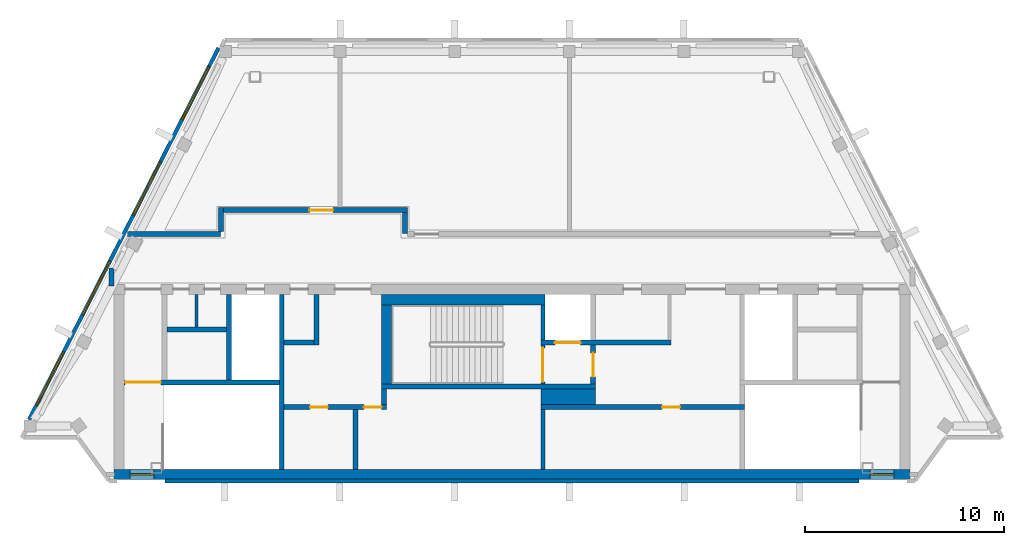
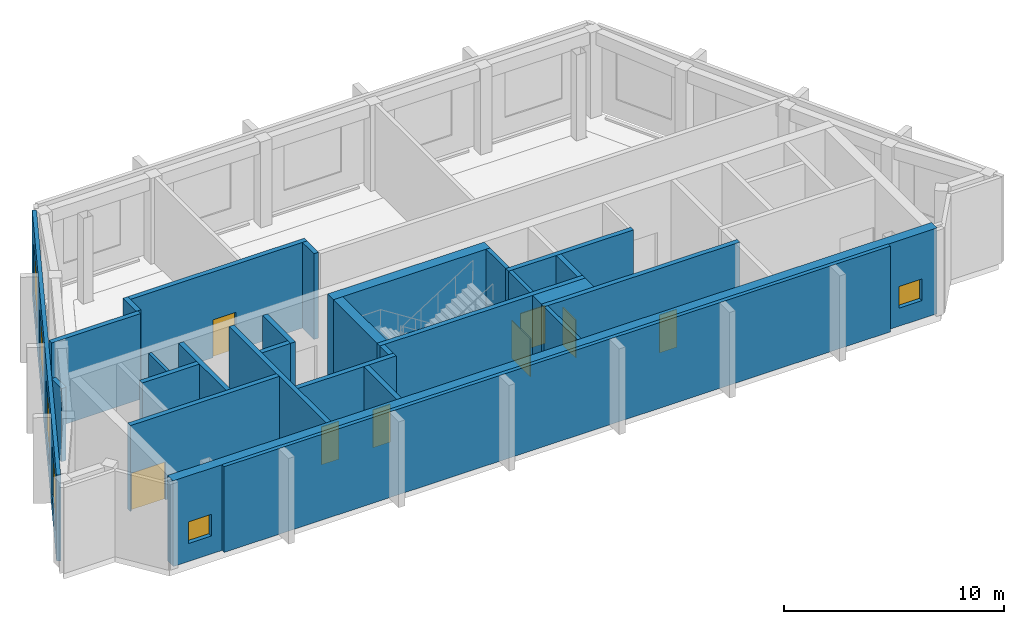
# One storey, part 2 of 5: 28 walls, 8 doors, 6 windows, 14 openings.
"""IFC4 building model written with IfcOpenShell, lengths in metres."""

from ifc_helpers import new_model, si_unit, direction, frame, frame_2d, origin, place, context, subcontext, project, spatial, rectangle, extrude, material, layer, layer_set, type_object, element, fill, save


model = new_model("IFC4")

# Units and contexts
model_context = context("Model", 3, precision=1e-05, world=origin(), true_north=direction((0.0, 1.0)))
body_context = subcontext(model_context, "Body", "Model", "MODEL_VIEW")
ifc_project = project(units=[si_unit("LENGTHUNIT", "METRE"), si_unit("AREAUNIT", "SQUARE_METRE"), si_unit("VOLUMEUNIT", "CUBIC_METRE"), si_unit("PLANEANGLEUNIT", "RADIAN"), si_unit("MASSUNIT", "GRAM", prefix="KILO")], contexts=[model_context])

# Site, building, storey
site_placement = place(None, origin())
site = spatial("IfcSite", under=ifc_project, at=site_placement, CompositionType="ELEMENT")
building_placement = place(site_placement, origin())
building = spatial("IfcBuilding", under=site, at=building_placement, Name="Quipu Civic Tower", CompositionType="ELEMENT")
storey_placement = place(building_placement, frame((0.0, 0.0, 363.0)))
storey = spatial("IfcBuildingStorey", under=building, at=storey_placement, Name="L84", CompositionType="ELEMENT", Elevation=363.0)

# Wall, opening, door
ifc_material_1 = material(Name="Concrete C70/85", Category="concrete")
ifc_layer_1 = layer(ifc_material_1, 0.199951171875)
ifc_layer_set_1 = layer_set([ifc_layer_1], Name="Concrete C70/85")
wall_type_1 = type_object("IfcWallType", Name="Core wall 200", PredefinedType="SHEAR", material=ifc_layer_set_1)
wall_1_placement = place(storey_placement, frame((1.550048828125, -6.199951171875, 0.0), z_axis=(0.0, 0.0, 1.0), x_axis=(0.0, 1.0, 0.0)))
wall_1 = element("IfcWall", 1, at=wall_1_placement, inside=storey, type_object=wall_type_1, Name="Core wall", PredefinedType="SHEAR", context=body_context, shape_type="SweptSolid", body=[
    extrude(rectangle(XDim=1.949951171875, YDim=0.199951171875, at=frame_2d((0.97509765625, 0.0))), origin(), (0.0, 0.0, 1.0), 4.75),
])
opening_1_placement = place(wall_1_placement, frame((0.10009765625, 0.0, 0.0)))
opening_1 = element("IfcOpeningElement", 2, at=opening_1_placement, cuts=wall_1, Name="Opening CD-06", PredefinedType="OPENING", context=body_context, shape_type="SweptSolid", body=[
    extrude(rectangle(XDim=1.699951171875, YDim=2.10009765625, at=frame_2d((0.85009765625, 1.050048828125))), frame((0.0, 0.10986328125, 0.0), z_axis=(0.0, -1.0, 0.0), x_axis=(1.0, 0.0, 0.0)), (0.0, 0.0, 1.0), 0.219970703125),
])
ifc_material_2 = material(Name="Fire rated steel door", Category="steel")
door_type_1 = type_object("IfcDoorType", Name="Fire door FD90 double 1700 x 2100", OperationType="NOTDEFINED", PredefinedType="DOOR", material=ifc_material_2)
door_1_placement = place(opening_1_placement, origin())
door_1 = element("IfcDoor", 3, at=door_1_placement, inside=storey, type_object=door_type_1, Name="Door", OperationType="DOUBLE_DOOR_SINGLE_SWING", OverallHeight=2.10009765625, OverallWidth=1.699951171875, PredefinedType="DOOR", context=body_context, shape_type="SweptSolid", body=[
    extrude(rectangle(XDim=1.699951171875, YDim=2.10009765625, at=frame_2d((0.85009765625, 1.050048828125))), frame((0.0, 0.02490234375, 0.0), z_axis=(0.0, -1.0, 0.0), x_axis=(1.0, 0.0, 0.0)), (0.0, 0.0, 1.0), 0.050048828125),
])
fill(opening_1, door_1)

# Walls
wall_2_placement = place(storey_placement, frame((1.550048828125, -4.0, 0.0), z_axis=(0.0, 0.0, 1.0), x_axis=(0.0, 1.0, 0.0)))
element("IfcWall", 4, at=wall_2_placement, inside=storey, type_object=wall_type_1, Name="Core wall", PredefinedType="SHEAR", context=body_context, shape_type="SweptSolid", body=[
    extrude(rectangle(XDim=1.77001953125, YDim=0.199951171875, at=frame_2d((0.885009765625, 0.0))), origin(), (0.0, 0.0, 1.0), 4.75),
])
ifc_material_3 = material(Name="Concrete C70/85", Category="concrete")
ifc_layer_2 = layer(ifc_material_3, 0.25)
ifc_layer_set_2 = layer_set([ifc_layer_2], Name="Concrete C70/85")
wall_type_2 = type_object("IfcWallType", Name="Core wall 250", PredefinedType="SHEAR", material=ifc_layer_set_2)
wall_3_placement = place(storey_placement, frame((-11.574951171875, -10.5, 0.0), z_axis=(0.0, 0.0, 1.0), x_axis=(0.0, 1.0, 0.0)))
element("IfcWall", 5, at=wall_3_placement, inside=storey, type_object=wall_type_2, Name="Core wall", PredefinedType="SHEAR", context=body_context, shape_type="SweptSolid", body=[
    extrude(rectangle(XDim=8.800048828125, YDim=0.25, at=frame_2d((4.39990234375, 0.0))), origin(), (0.0, 0.0, 1.0), 4.75),
])
wall_4_placement = place(storey_placement, frame((-7.875, -10.5, 0.0), z_axis=(0.0, 0.0, 1.0), x_axis=(0.0, 1.0, 0.0)))
element("IfcWall", 6, at=wall_4_placement, inside=storey, type_object=wall_type_2, Name="Core wall", PredefinedType="SHEAR", context=body_context, shape_type="SweptSolid", body=[
    extrude(rectangle(XDim=3.0, YDim=0.25, at=frame_2d((1.5, 0.0))), origin(), (0.0, 0.0, 1.0), 4.75),
])

# Wall, openings, doors
wall_5_placement = place(storey_placement, frame((-6.300048828125, -7.375, 0.0), z_axis=(0.0, 0.0, 1.0), x_axis=(-1.0, 0.0, 0.0)))
wall_5 = element("IfcWall", 7, at=wall_5_placement, inside=storey, type_object=wall_type_2, Name="Core wall", PredefinedType="SHEAR", context=body_context, shape_type="SweptSolid", body=[
    extrude(rectangle(XDim=5.14990234375, YDim=0.25, at=frame_2d((2.574951171875, 0.0))), origin(), (0.0, 0.0, 1.0), 4.75),
])
opening_2_placement = place(wall_5_placement, frame((2.949951171875, 0.0, 0.0)))
opening_2 = element("IfcOpeningElement", 8, at=opening_2_placement, cuts=wall_5, Name="Opening CD-01", PredefinedType="OPENING", context=body_context, shape_type="SweptSolid", body=[
    extrude(rectangle(XDim=0.89990234375, YDim=2.10009765625, at=frame_2d((0.449951171875, 1.050048828125))), frame((0.0, 0.135009765625, 0.0), z_axis=(0.0, -1.0, 0.0), x_axis=(1.0, 0.0, 0.0)), (0.0, 0.0, 1.0), 0.27001953125),
])
opening_3_placement = place(wall_5_placement, frame((0.25, 0.0, 0.0)))
opening_3 = element("IfcOpeningElement", 9, at=opening_3_placement, cuts=wall_5, Name="Opening CD-02", PredefinedType="OPENING", context=body_context, shape_type="SweptSolid", body=[
    extrude(rectangle(XDim=0.89990234375, YDim=2.10009765625, at=frame_2d((0.449951171875, 1.050048828125))), frame((0.0, 0.135009765625, 0.0), z_axis=(0.0, -1.0, 0.0), x_axis=(1.0, 0.0, 0.0)), (0.0, 0.0, 1.0), 0.27001953125),
])
ifc_material_4 = material(Name="Fire rated steel door", Category="steel")
door_type_2 = type_object("IfcDoorType", Name="Fire door FD60 900 x 2100", OperationType="NOTDEFINED", PredefinedType="DOOR", material=ifc_material_4)
door_2_placement = place(opening_2_placement, origin())
door_2 = element("IfcDoor", 10, at=door_2_placement, inside=storey, type_object=door_type_2, Name="Plant door", OperationType="SINGLE_SWING_RIGHT", OverallHeight=2.10009765625, OverallWidth=0.89990234375, PredefinedType="DOOR", context=body_context, shape_type="SweptSolid", body=[
    extrude(rectangle(XDim=0.89990234375, YDim=2.10009765625, at=frame_2d((0.449951171875, 1.050048828125))), frame((0.0, 0.02490234375, 0.0), z_axis=(0.0, -1.0, 0.0), x_axis=(1.0, 0.0, 0.0)), (0.0, 0.0, 1.0), 0.050048828125),
])
fill(opening_2, door_2)
door_3_placement = place(opening_3_placement, origin())
door_3 = element("IfcDoor", 11, at=door_3_placement, inside=storey, type_object=door_type_2, Name="Plant door", OperationType="SINGLE_SWING_LEFT", OverallHeight=2.10009765625, OverallWidth=0.89990234375, PredefinedType="DOOR", context=body_context, shape_type="SweptSolid", body=[
    extrude(rectangle(XDim=0.89990234375, YDim=2.10009765625, at=frame_2d((0.449951171875, 1.050048828125))), frame((0.0, 0.02490234375, 0.0), z_axis=(0.0, -1.0, 0.0), x_axis=(1.0, 0.0, 0.0)), (0.0, 0.0, 1.0), 0.050048828125),
])
fill(opening_3, door_3)

# Wall, opening, door
wall_6_placement = place(storey_placement, frame((11.699951171875, -7.375, 0.0), z_axis=(0.0, 0.0, 1.0), x_axis=(-1.0, 0.0, 0.0)))
wall_6 = element("IfcWall", 12, at=wall_6_placement, inside=storey, type_object=wall_type_2, Name="Core wall", PredefinedType="SHEAR", context=body_context, shape_type="SweptSolid", body=[
    extrude(rectangle(XDim=10.25, YDim=0.25, at=frame_2d((5.125, 0.0))), origin(), (0.0, 0.0, 1.0), 4.75),
])
opening_4_placement = place(wall_6_placement, frame((3.25, 0.0, 0.0)))
opening_4 = element("IfcOpeningElement", 13, at=opening_4_placement, cuts=wall_6, Name="Opening CD-03", PredefinedType="OPENING", context=body_context, shape_type="SweptSolid", body=[
    extrude(rectangle(XDim=0.89990234375, YDim=2.10009765625, at=frame_2d((0.449951171875, 1.050048828125))), frame((0.0, 0.135009765625, 0.0), z_axis=(0.0, -1.0, 0.0), x_axis=(1.0, 0.0, 0.0)), (0.0, 0.0, 1.0), 0.27001953125),
])
door_4_placement = place(opening_4_placement, origin())
door_4 = element("IfcDoor", 14, at=door_4_placement, inside=storey, type_object=door_type_2, Name="Plant door", OperationType="SINGLE_SWING_LEFT", OverallHeight=2.10009765625, OverallWidth=0.89990234375, PredefinedType="DOOR", context=body_context, shape_type="SweptSolid", body=[
    extrude(rectangle(XDim=0.89990234375, YDim=2.10009765625, at=frame_2d((0.449951171875, 1.050048828125))), frame((0.0, 0.02490234375, 0.0), z_axis=(0.0, -1.0, 0.0), x_axis=(1.0, 0.0, 0.0)), (0.0, 0.0, 1.0), 0.050048828125),
])
fill(opening_4, door_4)

# Walls
wall_7_placement = place(storey_placement, frame((-6.425048828125, -7.25, 0.0), z_axis=(0.0, 0.0, 1.0), x_axis=(0.0, 1.0, 0.0)))
element("IfcWall", 15, at=wall_7_placement, inside=storey, type_object=wall_type_2, Name="Core wall", PredefinedType="SHEAR", context=body_context, shape_type="SweptSolid", body=[
    extrude(rectangle(XDim=0.800048828125, YDim=0.25, at=frame_2d((0.39990234375, 0.0))), origin(), (0.0, 0.0, 1.0), 4.75),
])
wall_8_placement = place(storey_placement, frame((-6.550048828125, -6.324951171875, 0.0), z_axis=(0.0, 0.0, 1.0), x_axis=(1.0, 0.0, 0.0)))
element("IfcWall", 16, at=wall_8_placement, inside=storey, type_object=wall_type_2, Name="Core wall", PredefinedType="SHEAR", context=body_context, shape_type="SweptSolid", body=[
    extrude(rectangle(XDim=10.75, YDim=0.25, at=frame_2d((5.375, 0.0))), origin(), (0.0, 0.0, 1.0), 4.75),
])

# Wall, opening, door
wall_9_placement = place(storey_placement, frame((-11.699951171875, -6.125, 0.0), z_axis=(0.0, 0.0, 1.0), x_axis=(-1.0, 0.0, 0.0)))
wall_9 = element("IfcWall", 17, at=wall_9_placement, inside=storey, type_object=wall_type_2, Name="Core wall", PredefinedType="SHEAR", context=body_context, shape_type="SweptSolid", body=[
    extrude(rectangle(XDim=7.800048828125, YDim=0.25, at=frame_2d((3.89990234375, 0.0))), origin(), (0.0, 0.0, 1.0), 4.75),
])
opening_5_placement = place(wall_9_placement, frame((5.949951171875, 0.0, 0.0)))
opening_5 = element("IfcOpeningElement", 18, at=opening_5_placement, cuts=wall_9, Name="Opening CD-04", PredefinedType="OPENING", context=body_context, shape_type="SweptSolid", body=[
    extrude(rectangle(XDim=1.800048828125, YDim=2.10009765625, at=frame_2d((0.89990234375, 1.050048828125))), frame((0.0, 0.135009765625, 0.0), z_axis=(0.0, -1.0, 0.0), x_axis=(1.0, 0.0, 0.0)), (0.0, 0.0, 1.0), 0.27001953125),
])
ifc_material_5 = material(Name="Fire rated steel door", Category="steel")
door_type_3 = type_object("IfcDoorType", Name="Fire door FD90 double 1800 x 2100", OperationType="NOTDEFINED", PredefinedType="DOOR", material=ifc_material_5)
door_5_placement = place(opening_5_placement, origin())
door_5 = element("IfcDoor", 19, at=door_5_placement, inside=storey, type_object=door_type_3, Name="Door", OperationType="DOUBLE_DOOR_SINGLE_SWING", OverallHeight=2.10009765625, OverallWidth=1.800048828125, PredefinedType="DOOR", context=body_context, shape_type="SweptSolid", body=[
    extrude(rectangle(XDim=1.800048828125, YDim=2.10009765625, at=frame_2d((0.89990234375, 1.050048828125))), frame((0.0, 0.02490234375, 0.0), z_axis=(0.0, -1.0, 0.0), x_axis=(1.0, 0.0, 0.0)), (0.0, 0.0, 1.0), 0.050048828125),
])
fill(opening_5, door_5)

wall_10_placement = place(storey_placement, frame((4.074951171875, -6.199951171875, 0.0), z_axis=(0.0, 0.0, 1.0), x_axis=(0.0, 1.0, 0.0)))
wall_10 = element("IfcWall", 20, at=wall_10_placement, inside=storey, type_object=wall_type_2, Name="Core wall", PredefinedType="SHEAR", context=body_context, shape_type="SweptSolid", body=[
    extrude(rectangle(XDim=1.949951171875, YDim=0.25, at=frame_2d((0.97509765625, 0.0))), origin(), (0.0, 0.0, 1.0), 4.75),
])
opening_6_placement = place(wall_10_placement, frame((0.35009765625, 0.0, 0.0)))
opening_6 = element("IfcOpeningElement", 21, at=opening_6_placement, cuts=wall_10, Name="Opening CD-07", PredefinedType="OPENING", context=body_context, shape_type="SweptSolid", body=[
    extrude(rectangle(XDim=1.199951171875, YDim=2.10009765625, at=frame_2d((0.60009765625, 1.050048828125))), frame((0.0, 0.135009765625, 0.0), z_axis=(0.0, -1.0, 0.0), x_axis=(1.0, 0.0, 0.0)), (0.0, 0.0, 1.0), 0.27001953125),
])
ifc_material_6 = material(Name="Fire rated steel door", Category="steel")
door_type_4 = type_object("IfcDoorType", Name="Fire door FD90 1200 x 2100", OperationType="NOTDEFINED", PredefinedType="DOOR", material=ifc_material_6)
door_6_placement = place(opening_6_placement, origin())
door_6 = element("IfcDoor", 22, at=door_6_placement, inside=storey, type_object=door_type_4, Name="Lobby door", OperationType="SINGLE_SWING_LEFT", OverallHeight=2.10009765625, OverallWidth=1.199951171875, PredefinedType="DOOR", context=body_context, shape_type="SweptSolid", body=[
    extrude(rectangle(XDim=1.199951171875, YDim=2.10009765625, at=frame_2d((0.60009765625, 1.050048828125))), frame((0.0, 0.02490234375, 0.0), z_axis=(0.0, -1.0, 0.0), x_axis=(1.0, 0.0, 0.0)), (0.0, 0.0, 1.0), 0.050048828125),
])
fill(opening_6, door_6)

# Walls
wall_11_placement = place(storey_placement, frame((-14.22509765625, -6.0, 0.0), z_axis=(0.0, 0.0, 1.0), x_axis=(0.0, 1.0, 0.0)))
element("IfcWall", 23, at=wall_11_placement, inside=storey, type_object=wall_type_2, Name="Core wall", PredefinedType="SHEAR", context=body_context, shape_type="SweptSolid", body=[
    extrude(rectangle(XDim=4.300048828125, YDim=0.25, at=frame_2d((2.14990234375, 0.0))), origin(), (0.0, 0.0, 1.0), 4.75),
])
wall_12_placement = place(storey_placement, frame((-11.449951171875, -4.125, 0.0), z_axis=(0.0, 0.0, 1.0), x_axis=(1.0, 0.0, 0.0)))
element("IfcWall", 24, at=wall_12_placement, inside=storey, type_object=wall_type_2, Name="Core wall", PredefinedType="SHEAR", context=body_context, shape_type="SweptSolid", body=[
    extrude(rectangle(XDim=1.5, YDim=0.25, at=frame_2d((0.75, 0.0))), origin(), (0.0, 0.0, 1.0), 4.75),
])
wall_13_placement = place(storey_placement, frame((-9.824951171875, -4.25, 0.0), z_axis=(0.0, 0.0, 1.0), x_axis=(0.0, 1.0, 0.0)))
element("IfcWall", 25, at=wall_13_placement, inside=storey, type_object=wall_type_2, Name="Core wall", PredefinedType="SHEAR", context=body_context, shape_type="SweptSolid", body=[
    extrude(rectangle(XDim=2.550048828125, YDim=0.25, at=frame_2d((1.27490234375, 0.0))), origin(), (0.0, 0.0, 1.0), 4.75),
])

# Wall, opening, door
wall_14_placement = place(storey_placement, frame((1.449951171875, -4.125, 0.0), z_axis=(0.0, 0.0, 1.0), x_axis=(1.0, 0.0, 0.0)))
wall_14 = element("IfcWall", 26, at=wall_14_placement, inside=storey, type_object=wall_type_2, Name="Core wall", PredefinedType="SHEAR", context=body_context, shape_type="SweptSolid", body=[
    extrude(rectangle(XDim=6.550048828125, YDim=0.25, at=frame_2d((3.27490234375, 0.0))), origin(), (0.0, 0.0, 1.0), 4.75),
])
opening_7_placement = place(wall_14_placement, frame((0.699951171875, 0.0, 0.0)))
opening_7 = element("IfcOpeningElement", 27, at=opening_7_placement, cuts=wall_14, Name="Opening LD-FF3", PredefinedType="OPENING", context=body_context, shape_type="SweptSolid", body=[
    extrude(rectangle(XDim=1.300048828125, YDim=2.10009765625, at=frame_2d((0.64990234375, 1.050048828125))), frame((0.0, 0.135009765625, 0.0), z_axis=(0.0, -1.0, 0.0), x_axis=(1.0, 0.0, 0.0)), (0.0, 0.0, 1.0), 0.27001953125),
])
ifc_material_7 = material(Name="Stainless steel", Category="steel")
door_type_5 = type_object("IfcDoorType", Name="Lift landing door 1300 x 2100", OperationType="DOUBLE_DOOR_SLIDING", PredefinedType="DOOR", material=ifc_material_7)
door_7_placement = place(opening_7_placement, origin())
door_7 = element("IfcDoor", 28, at=door_7_placement, inside=storey, type_object=door_type_5, Name="Landing door FF3", OperationType="DOUBLE_DOOR_SLIDING", OverallHeight=2.10009765625, OverallWidth=1.300048828125, PredefinedType="DOOR", context=body_context, shape_type="SweptSolid", body=[
    extrude(rectangle(XDim=1.300048828125, YDim=2.10009765625, at=frame_2d((0.64990234375, 1.050048828125))), frame((0.0, 0.02490234375, 0.0), z_axis=(0.0, -1.0, 0.0), x_axis=(1.0, 0.0, 0.0)), (0.0, 0.0, 1.0), 0.050048828125),
])
fill(opening_7, door_7)

# Wall
wall_15_placement = place(storey_placement, frame((-17.35009765625, -3.47509765625, 0.0), z_axis=(0.0, 0.0, 1.0), x_axis=(1.0, 0.0, 0.0)))
element("IfcWall", 29, at=wall_15_placement, inside=storey, type_object=wall_type_2, Name="Core wall", PredefinedType="SHEAR", context=body_context, shape_type="SweptSolid", body=[
    extrude(rectangle(XDim=3.0, YDim=0.25, at=frame_2d((1.5, 0.0))), origin(), (0.0, 0.0, 1.0), 4.75),
])

# Wall, openings, windows
ifc_material_8 = material(Name="Concrete C70/85", Category="concrete")
ifc_layer_3 = layer(ifc_material_8, 0.5)
ifc_layer_set_3 = layer_set([ifc_layer_3], Name="Concrete C70/85")
wall_type_3 = type_object("IfcWallType", Name="Core wall 500", PredefinedType="SHEAR", material=ifc_layer_set_3)
wall_16_placement = place(storey_placement, frame((-20.0, -10.75, 0.0), z_axis=(0.0, 0.0, 1.0), x_axis=(1.0, 0.0, 0.0)))
wall_16 = element("IfcWall", 30, at=wall_16_placement, inside=storey, type_object=wall_type_3, Name="Core wall", PredefinedType="SHEAR", context=body_context, shape_type="SweptSolid", body=[
    extrude(rectangle(XDim=40.0, YDim=0.5, at=frame_2d((20.0, 0.0))), origin(), (0.0, 0.0, 1.0), 4.75),
])
opening_8_placement = place(wall_16_placement, frame((0.800048828125, 0.0, 1.0)))
opening_8 = element("IfcOpeningElement", 31, at=opening_8_placement, cuts=wall_16, Name="Opening SV-1", PredefinedType="OPENING", context=body_context, shape_type="SweptSolid", body=[
    extrude(rectangle(XDim=1.199951171875, YDim=1.199951171875, at=frame_2d((0.60009765625, 0.60009765625))), frame((0.0, 0.260009765625, 0.0), z_axis=(0.0, -1.0, 0.0), x_axis=(1.0, 0.0, 0.0)), (0.0, 0.0, 1.0), 0.52001953125),
])
opening_9_placement = place(wall_16_placement, frame((38.0, 0.0, 1.0)))
opening_9 = element("IfcOpeningElement", 32, at=opening_9_placement, cuts=wall_16, Name="Opening SV-2", PredefinedType="OPENING", context=body_context, shape_type="SweptSolid", body=[
    extrude(rectangle(XDim=1.199951171875, YDim=1.199951171875, at=frame_2d((0.60009765625, 0.60009765625))), frame((0.0, 0.260009765625, 0.0), z_axis=(0.0, -1.0, 0.0), x_axis=(1.0, 0.0, 0.0)), (0.0, 0.0, 1.0), 0.52001953125),
])
ifc_material_9 = material(Name="Aluminium louvre", Category="aluminium")
window_type_1 = type_object("IfcWindowType", Name="Stair ventilation louvre 1200 x 1200", PartitioningType="SINGLE_PANEL", PredefinedType="WINDOW", material=ifc_material_9)
window_1_placement = place(opening_8_placement, origin())
window_1 = element("IfcWindow", 33, at=window_1_placement, inside=storey, type_object=window_type_1, Name="Stair ventilation opening", OverallHeight=1.199951171875, OverallWidth=1.199951171875, PartitioningType="SINGLE_PANEL", PredefinedType="WINDOW", context=body_context, shape_type="SweptSolid", body=[
    extrude(rectangle(XDim=1.199951171875, YDim=1.199951171875, at=frame_2d((0.60009765625, 0.60009765625))), frame((0.0, 0.030029296875, 0.0), z_axis=(0.0, -1.0, 0.0), x_axis=(1.0, 0.0, 0.0)), (0.0, 0.0, 1.0), 0.06005859375),
])
fill(opening_8, window_1)
window_2_placement = place(opening_9_placement, origin())
window_2 = element("IfcWindow", 34, at=window_2_placement, inside=storey, type_object=window_type_1, Name="Stair ventilation opening", OverallHeight=1.199951171875, OverallWidth=1.199951171875, PartitioningType="SINGLE_PANEL", PredefinedType="WINDOW", context=body_context, shape_type="SweptSolid", body=[
    extrude(rectangle(XDim=1.199951171875, YDim=1.199951171875, at=frame_2d((0.60009765625, 0.60009765625))), frame((0.0, 0.030029296875, 0.0), z_axis=(0.0, -1.0, 0.0), x_axis=(1.0, 0.0, 0.0)), (0.0, 0.0, 1.0), 0.06005859375),
])
fill(opening_9, window_2)

# Walls
wall_17_placement = place(storey_placement, frame((-6.300048828125, -6.199951171875, 0.0), z_axis=(0.0, 0.0, 1.0), x_axis=(0.0, 1.0, 0.0)))
element("IfcWall", 35, at=wall_17_placement, inside=storey, type_object=wall_type_3, Name="Core wall", PredefinedType="SHEAR", context=body_context, shape_type="SweptSolid", body=[
    extrude(rectangle(XDim=3.969970703125, YDim=0.5, at=frame_2d((1.98486328125, 0.0))), origin(), (0.0, 0.0, 1.0), 4.75),
])
ifc_material_10 = material(Name="Concrete C70/85", Category="concrete")
ifc_layer_4 = layer(ifc_material_10, 0.530029296875)
ifc_layer_set_4 = layer_set([ifc_layer_4], Name="Concrete C70/85")
wall_type_4 = type_object("IfcWallType", Name="Core wall 530", PredefinedType="SHEAR", material=ifc_layer_set_4)
wall_18_placement = place(storey_placement, frame((-6.550048828125, -1.965087890625, 0.0), z_axis=(0.0, 0.0, 1.0), x_axis=(1.0, 0.0, 0.0)))
element("IfcWall", 36, at=wall_18_placement, inside=storey, type_object=wall_type_4, Name="Core wall", PredefinedType="SHEAR", context=body_context, shape_type="SweptSolid", body=[
    extrude(rectangle(XDim=8.199951171875, YDim=0.530029296875, at=frame_2d((4.10009765625, 0.0))), origin(), (0.0, 0.0, 1.0), 4.75),
])
ifc_material_11 = material(Name="Concrete C70/85", Category="concrete")
ifc_layer_5 = layer(ifc_material_11, 0.800048828125)
ifc_layer_set_5 = layer_set([ifc_layer_5], Name="Concrete C70/85")
wall_type_5 = type_object("IfcWallType", Name="Core wall 800", PredefinedType="SHEAR", material=ifc_layer_set_5)
wall_19_placement = place(storey_placement, frame((1.449951171875, -6.85009765625, 0.0), z_axis=(0.0, 0.0, 1.0), x_axis=(1.0, 0.0, 0.0)))
element("IfcWall", 37, at=wall_19_placement, inside=storey, type_object=wall_type_5, Name="Core wall", PredefinedType="SHEAR", context=body_context, shape_type="SweptSolid", body=[
    extrude(rectangle(XDim=2.75, YDim=0.800048828125, at=frame_2d((1.375, 0.0))), origin(), (0.0, 0.0, 1.0), 4.75),
])
ifc_material_12 = material(Name="Concrete C50/60", Category="concrete")
ifc_layer_6 = layer(ifc_material_12, 0.25)
ifc_layer_set_6 = layer_set([ifc_layer_6], Name="Concrete C50/60")
wall_type_6 = type_object("IfcWallType", Name="Corridor wall 250 concrete", PredefinedType="SOLIDWALL", material=ifc_layer_set_6)
wall_20_placement = place(storey_placement, frame((-19.319091796875, 1.324951171875, 0.0), z_axis=(0.0, 0.0, 1.0), x_axis=(1.0, 0.0, 0.0)))
element("IfcWall", 38, at=wall_20_placement, inside=storey, type_object=wall_type_6, Name="Corridor wall C02", PredefinedType="SOLIDWALL", context=body_context, shape_type="SweptSolid", body=[
    extrude(rectangle(XDim=4.660400390625, YDim=0.25, at=frame_2d((2.330078125, 0.0))), origin(), (0.0, 0.0, 1.0), 4.75),
])
wall_21_placement = place(storey_placement, frame((-14.625, 1.45361328125, 0.0), z_axis=(0.0, 0.0, 1.0), x_axis=(0.0, 1.0, 0.0)))
element("IfcWall", 39, at=wall_21_placement, inside=storey, type_object=wall_type_6, Name="Corridor wall C03", PredefinedType="SOLIDWALL", context=body_context, shape_type="SweptSolid", body=[
    extrude(rectangle(XDim=1.1962890625, YDim=0.25, at=frame_2d((0.59814453125, 0.0))), origin(), (0.0, 0.0, 1.0), 4.75),
])

# Wall, opening, door
wall_22_placement = place(storey_placement, frame((-14.5, 2.52490234375, 0.0), z_axis=(0.0, 0.0, 1.0), x_axis=(1.0, 0.0, 0.0)))
wall_22 = element("IfcWall", 40, at=wall_22_placement, inside=storey, type_object=wall_type_6, Name="Corridor wall C04", PredefinedType="SOLIDWALL", context=body_context, shape_type="SweptSolid", body=[
    extrude(rectangle(XDim=9.25, YDim=0.25, at=frame_2d((4.625, 0.0))), origin(), (0.0, 0.0, 1.0), 4.75),
])
opening_10_placement = place(wall_22_placement, frame((4.31298828125, 0.0, 0.0)))
opening_10 = element("IfcOpeningElement", 41, at=opening_10_placement, cuts=wall_22, Name="Opening D001", PredefinedType="OPENING", context=body_context, shape_type="SweptSolid", body=[
    extrude(rectangle(XDim=1.199951171875, YDim=2.10009765625, at=frame_2d((0.60009765625, 1.050048828125))), frame((0.0, 0.135009765625, 0.0), z_axis=(0.0, -1.0, 0.0), x_axis=(1.0, 0.0, 0.0)), (0.0, 0.0, 1.0), 0.27001953125),
])
ifc_material_13 = material(Name="Fire rated timber door set with metal frame", Category="wood")
door_type_6 = type_object("IfcDoorType", Name="Single door 1200 x 2100 FD60", OperationType="NOTDEFINED", PredefinedType="DOOR", material=ifc_material_13)
door_8_placement = place(opening_10_placement, origin())
door_8 = element("IfcDoor", 42, at=door_8_placement, inside=storey, type_object=door_type_6, Name="Door D001", OperationType="SINGLE_SWING_RIGHT", OverallHeight=2.10009765625, OverallWidth=1.199951171875, PredefinedType="DOOR", context=body_context, shape_type="SweptSolid", body=[
    extrude(rectangle(XDim=1.199951171875, YDim=2.10009765625, at=frame_2d((0.60009765625, 1.050048828125))), frame((0.0, 0.02490234375, 0.0), z_axis=(0.0, -1.0, 0.0), x_axis=(1.0, 0.0, 0.0)), (0.0, 0.0, 1.0), 0.050048828125),
])
fill(opening_10, door_8)

# Walls
wall_23_placement = place(storey_placement, frame((-5.375, 2.39990234375, 0.0), z_axis=(0.0, 0.0, 1.0), x_axis=(0.0, -1.0, 0.0)))
element("IfcWall", 43, at=wall_23_placement, inside=storey, type_object=wall_type_6, Name="Corridor wall C05", PredefinedType="SOLIDWALL", context=body_context, shape_type="SweptSolid", body=[
    extrude(rectangle(XDim=1.041259765625, YDim=0.25, at=frame_2d((0.5205078125, 0.0))), origin(), (0.0, 0.0, 1.0), 4.75),
])
wall_24_placement = place(storey_placement, frame((-20.125, -1.291259765625, 0.0), z_axis=(0.0, 0.0, 1.0), x_axis=(0.0, 1.0, 0.0)))
element("IfcWall", 44, at=wall_24_placement, inside=storey, type_object=wall_type_6, Name="Corridor wall C09", PredefinedType="SOLIDWALL", context=body_context, shape_type="SweptSolid", body=[
    extrude(rectangle(XDim=0.921142578125, YDim=0.25, at=frame_2d((0.46044921875, 0.0))), origin(), (0.0, 0.0, 1.0), 4.050048828125),
])
ifc_material_14 = material(Name="Gypsum board partition")
ifc_layer_7 = layer(ifc_material_14, 0.14990234375)
ifc_layer_set_7 = layer_set([ifc_layer_7], Name="Gypsum board partition")
wall_type_7 = type_object("IfcWallType", Name="Partition 150", PredefinedType="PARTITIONING", material=ifc_layer_set_7)
wall_25_placement = place(storey_placement, frame((-15.85009765625, -3.35009765625, 0.0), z_axis=(0.0, 0.0, 1.0), x_axis=(0.0, 1.0, 0.0)))
element("IfcWall", 45, at=wall_25_placement, inside=storey, type_object=wall_type_7, Name="Partition", PredefinedType="PARTITIONING", context=body_context, shape_type="SweptSolid", body=[
    extrude(rectangle(XDim=1.650146484375, YDim=0.14990234375, at=frame_2d((0.8251953125, 0.0))), origin(), (0.0, 0.0, 1.0), 4.75),
])

# Wall, openings, windows
ifc_material_15 = material(Name="Precast concrete C40/50", Category="concrete")
wall_type_8 = type_object("IfcWallType", Name="Precast cladding wall", PredefinedType="SOLIDWALL", material=ifc_material_15)
wall_26_placement = place(storey_placement, frame((-14.74755859375, 10.692138671875, 0.0), z_axis=(0.0, 0.0, 1.0), x_axis=(-0.453989383659, -0.891007092859, 0.0)))
wall_26 = element("IfcWall", 46, at=wall_26_placement, inside=storey, type_object=wall_type_8, Name="Precast cladding wall L84 2", PredefinedType="SOLIDWALL", context=body_context, shape_type="SweptSolid", body=[
    extrude(rectangle(XDim=20.988037109375, YDim=0.199951171875, at=frame_2d((10.494140625, 0.0))), origin(), (0.0, 0.0, 1.0), 4.75),
])
opening_11_placement = place(wall_26_placement, frame((1.06005859375, 0.0, 1.0)))
opening_11 = element("IfcOpeningElement", 47, at=opening_11_placement, cuts=wall_26, Name="Opening W-L84-2.1", PredefinedType="OPENING", context=body_context, shape_type="SweptSolid", body=[
    extrude(rectangle(XDim=3.0, YDim=2.800048828125, at=frame_2d((1.5, 1.39990234375))), frame((0.0, 0.10986328125, 0.0), z_axis=(0.0, -1.0, 0.0), x_axis=(1.0, 0.0, 0.0)), (0.0, 0.0, 1.0), 0.219970703125),
])
opening_12_placement = place(wall_26_placement, frame((6.42822265625, 0.0, 1.0)))
opening_12 = element("IfcOpeningElement", 48, at=opening_12_placement, cuts=wall_26, Name="Opening W-L84-2.2", PredefinedType="OPENING", context=body_context, shape_type="SweptSolid", body=[
    extrude(rectangle(XDim=3.0, YDim=2.800048828125, at=frame_2d((1.5, 1.39990234375))), frame((0.0, 0.10986328125, 0.0), z_axis=(0.0, -1.0, 0.0), x_axis=(1.0, 0.0, 0.0)), (0.0, 0.0, 1.0), 0.219970703125),
])
opening_13_placement = place(wall_26_placement, frame((12.04443359375, 0.0, 1.0)))
opening_13 = element("IfcOpeningElement", 49, at=opening_13_placement, cuts=wall_26, Name="Opening W-L84-2.3", PredefinedType="OPENING", context=body_context, shape_type="SweptSolid", body=[
    extrude(rectangle(XDim=3.0, YDim=2.800048828125, at=frame_2d((1.5, 1.39990234375))), frame((0.0, 0.10986328125, 0.0), z_axis=(0.0, -1.0, 0.0), x_axis=(1.0, 0.0, 0.0)), (0.0, 0.0, 1.0), 0.219970703125),
])
opening_14_placement = place(wall_26_placement, frame((17.170166015625, 0.0, 1.0)))
opening_14 = element("IfcOpeningElement", 50, at=opening_14_placement, cuts=wall_26, Name="Opening W-L84-2.4", PredefinedType="OPENING", context=body_context, shape_type="SweptSolid", body=[
    extrude(rectangle(XDim=3.0, YDim=2.800048828125, at=frame_2d((1.5, 1.39990234375))), frame((0.0, 0.10986328125, 0.0), z_axis=(0.0, -1.0, 0.0), x_axis=(1.0, 0.0, 0.0)), (0.0, 0.0, 1.0), 0.219970703125),
])
ifc_material_16 = material(Name="Anodised aluminium louvre", Category="aluminium")
window_type_2 = type_object("IfcWindowType", Name="Plant louvre window P4", PartitioningType="SINGLE_PANEL", PredefinedType="WINDOW", material=ifc_material_16)
window_3_placement = place(opening_11_placement, origin())
window_3 = element("IfcWindow", 51, at=window_3_placement, inside=storey, type_object=window_type_2, Name="Plant louvre window L84.2.1", OverallHeight=2.800048828125, OverallWidth=3.0, PartitioningType="SINGLE_PANEL", PredefinedType="WINDOW", context=body_context, shape_type="SweptSolid", body=[
    extrude(rectangle(XDim=3.0, YDim=2.800048828125, at=frame_2d((1.5, 1.39990234375))), frame((0.0, 0.030029296875, 0.0), z_axis=(0.0, -1.0, 0.0), x_axis=(1.0, 0.0, 0.0)), (0.0, 0.0, 1.0), 0.06005859375),
])
fill(opening_11, window_3)
window_4_placement = place(opening_12_placement, origin())
window_4 = element("IfcWindow", 52, at=window_4_placement, inside=storey, type_object=window_type_2, Name="Plant louvre window L84.2.2", OverallHeight=2.800048828125, OverallWidth=3.0, PartitioningType="SINGLE_PANEL", PredefinedType="WINDOW", context=body_context, shape_type="SweptSolid", body=[
    extrude(rectangle(XDim=3.0, YDim=2.800048828125, at=frame_2d((1.5, 1.39990234375))), frame((0.0, 0.030029296875, 0.0), z_axis=(0.0, -1.0, 0.0), x_axis=(1.0, 0.0, 0.0)), (0.0, 0.0, 1.0), 0.06005859375),
])
fill(opening_12, window_4)
window_5_placement = place(opening_13_placement, origin())
window_5 = element("IfcWindow", 53, at=window_5_placement, inside=storey, type_object=window_type_2, Name="Plant louvre window L84.2.3", OverallHeight=2.800048828125, OverallWidth=3.0, PartitioningType="SINGLE_PANEL", PredefinedType="WINDOW", context=body_context, shape_type="SweptSolid", body=[
    extrude(rectangle(XDim=3.0, YDim=2.800048828125, at=frame_2d((1.5, 1.39990234375))), frame((0.0, 0.030029296875, 0.0), z_axis=(0.0, -1.0, 0.0), x_axis=(1.0, 0.0, 0.0)), (0.0, 0.0, 1.0), 0.06005859375),
])
fill(opening_13, window_5)
window_6_placement = place(opening_14_placement, origin())
window_6 = element("IfcWindow", 54, at=window_6_placement, inside=storey, type_object=window_type_2, Name="Plant louvre window L84.2.4", OverallHeight=2.800048828125, OverallWidth=3.0, PartitioningType="SINGLE_PANEL", PredefinedType="WINDOW", context=body_context, shape_type="SweptSolid", body=[
    extrude(rectangle(XDim=3.0, YDim=2.800048828125, at=frame_2d((1.5, 1.39990234375))), frame((0.0, 0.030029296875, 0.0), z_axis=(0.0, -1.0, 0.0), x_axis=(1.0, 0.0, 0.0)), (0.0, 0.0, 1.0), 0.06005859375),
])
fill(opening_14, window_6)

# Walls
wall_27_placement = place(storey_placement, frame((-17.44384765625, -11.087890625, 0.0), z_axis=(0.0, 0.0, 1.0), x_axis=(1.0, 0.0, 0.0)))
element("IfcWall", 55, at=wall_27_placement, inside=storey, type_object=wall_type_8, Name="Precast cladding wall L84 7", PredefinedType="SOLIDWALL", context=body_context, shape_type="SweptSolid", body=[
    extrude(rectangle(XDim=34.8876953125, YDim=0.199951171875, at=frame_2d((17.44384765625, 0.0))), origin(), (0.0, 0.0, 1.0), 4.75),
])
ifc_material_17 = material(Name="Concrete C40/50", Category="concrete")
ifc_layer_8 = layer(ifc_material_17, 0.199951171875)
ifc_layer_set_8 = layer_set([ifc_layer_8], Name="Concrete C40/50")
wall_type_9 = type_object("IfcWallType", Name="Shaft wall 200", PredefinedType="SOLIDWALL", material=ifc_layer_set_8)
wall_28_placement = place(storey_placement, frame((1.550048828125, -10.5, 0.0), z_axis=(0.0, 0.0, 1.0), x_axis=(0.0, 1.0, 0.0)))
element("IfcWall", 56, at=wall_28_placement, inside=storey, type_object=wall_type_9, Name="Shaft wall", PredefinedType="SOLIDWALL", context=body_context, shape_type="SweptSolid", body=[
    extrude(rectangle(XDim=3.0, YDim=0.199951171875, at=frame_2d((1.5, 0.0))), origin(), (0.0, 0.0, 1.0), 4.75),
])

save(model, "model.ifc")
